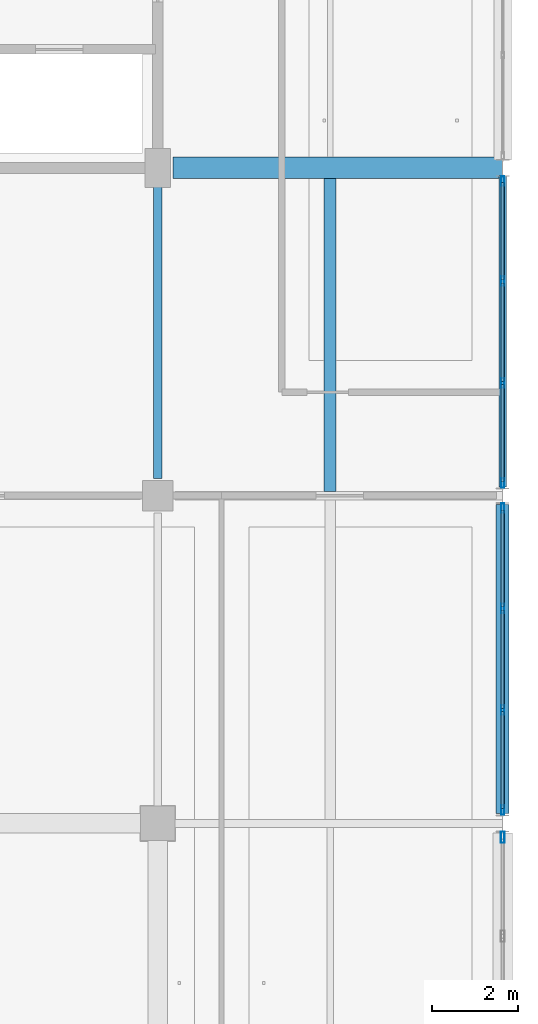
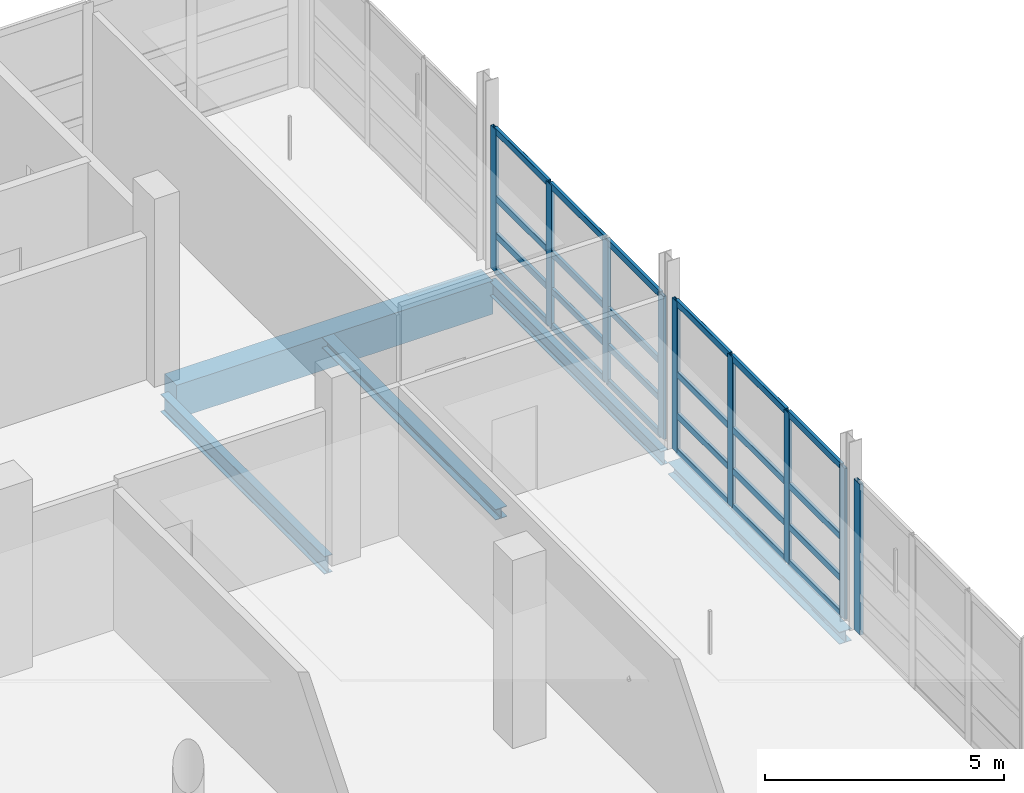
# One storey, part 48 of 147: 33 members, 5 beams, 3 elements without a shape of their own.
"""IFC4 building model written with IfcOpenShell, lengths in metres."""

import ifcopenshell
import ifcopenshell.guid

model = None  # the IFC model being written
_history = None  # IfcOwnerHistory: only IFC2X3 demands one
_inside = {}  # id of a spatial element -> (the spatial element, [elements in it])
_under = {}  # id of a project, library or spatial element -> (it, [spatial elements below it])
_declared = {}  # id of a project -> (the project, [libraries it declares])
_typed = {}  # id of a type object -> (the type object, [elements of that type])
_made_of = {}  # id of a material, layer set ... -> (it, [elements and type objects made of it])


def new_model(schema):
    """Start an empty IFC model of exactly this schema.

    Asked for "IFC4X3", IfcOpenShell would pick the latest addendum, in which some entities
    have other attributes; the version numbers below select the first issue.
    IFC2X3 requires an IfcOwnerHistory on every rooted entity: one is made here for all.
    """
    global model, _history
    if schema == "IFC4X3":
        model = ifcopenshell.file(schema_version=(4, 3, 0, 0))
    else:
        model = ifcopenshell.file(schema=schema)
    _inside.clear()
    _under.clear()
    _declared.clear()
    _typed.clear()
    _made_of.clear()
    _history = None
    if model.schema == "IFC2X3":
        org = make("IfcOrganization", Name="unknown")
        user = make(
            "IfcPersonAndOrganization",
            ThePerson=make("IfcPerson", FamilyName="unknown"),
            TheOrganization=org,
        )
        app = make(
            "IfcApplication",
            ApplicationDeveloper=org,
            Version="unknown",
            ApplicationFullName="unknown",
            ApplicationIdentifier="unknown",
        )
        _history = make(
            "IfcOwnerHistory",
            OwningUser=user,
            OwningApplication=app,
            ChangeAction="ADDED",
            CreationDate=0,
        )
    return model


def make(cls, **values):
    """One entity of the class cls with the attributes given. An attribute that is None is left unset."""
    return model.create_entity(
        cls, **{name: value for name, value in values.items() if value is not None}
    )


def rooted(cls, **values):
    """An entity with a GlobalId (a new one), such as an element, a storey or a relation."""
    return make(cls, GlobalId=ifcopenshell.guid.new(), OwnerHistory=_history, **values)


def si_unit(unit_type, name, prefix=None):
    """IfcSIUnit, for example si_unit("LENGTHUNIT", "METRE", prefix="MILLI")."""
    return make("IfcSIUnit", UnitType=unit_type, Prefix=prefix, Name=name)


def assignment(units):
    """IfcUnitAssignment: the units of a project."""
    return None if units is None else make("IfcUnitAssignment", Units=units)


def point(xyz):
    """IfcCartesianPoint."""
    return None if xyz is None else make("IfcCartesianPoint", Coordinates=xyz)


def direction(xyz):
    """IfcDirection."""
    return None if xyz is None else make("IfcDirection", DirectionRatios=xyz)


def frame(location, z_axis=None, x_axis=None):
    """IfcAxis2Placement3D, a coordinate frame: its origin and axes. An axis left out is left unset."""
    return make(
        "IfcAxis2Placement3D",
        Location=point(location),
        Axis=direction(z_axis),
        RefDirection=direction(x_axis),
    )


def frame_2d(location, x_axis=None):
    """IfcAxis2Placement2D, a coordinate frame in the plane: its origin and x axis."""
    return make(
        "IfcAxis2Placement2D", Location=point(location), RefDirection=direction(x_axis)
    )


def origin():
    """The frame at (0, 0, 0) with its axes left unset."""
    return frame((0.0, 0.0, 0.0))


def origin_2d():
    """The frame at (0, 0) in the plane with its x axis left unset."""
    return frame_2d((0.0, 0.0))


def place(relative_to, where):
    """IfcLocalPlacement: puts the frame where relative to a parent placement (None: the world)."""
    return make(
        "IfcLocalPlacement", PlacementRelTo=relative_to, RelativePlacement=where
    )


def context(
    kind, dimensions, precision=None, world=None, true_north=None, identifier=None
):
    """IfcGeometricRepresentationContext, for example the 3D "Model" context."""
    return make(
        "IfcGeometricRepresentationContext",
        ContextIdentifier=identifier,
        ContextType=kind,
        CoordinateSpaceDimension=dimensions,
        Precision=precision,
        WorldCoordinateSystem=world,
        TrueNorth=true_north,
    )


def subcontext(parent, identifier, kind, view, scale=None):
    """IfcGeometricRepresentationSubContext, for example "Body" below "Model"."""
    return make(
        "IfcGeometricRepresentationSubContext",
        ContextIdentifier=identifier,
        ContextType=kind,
        ParentContext=parent,
        TargetScale=scale,
        TargetView=view,
    )


def project(units=None, contexts=None):
    """IfcProject with its units and contexts."""
    return rooted(
        "IfcProject",
        Name="project",
        RepresentationContexts=contexts,
        UnitsInContext=assignment(units),
    )


def spatial(cls, under=None, at=None, **own):
    """A site, building, storey or space (cls), placed at a placement, below another one or the project."""
    s = rooted(cls, ObjectPlacement=at, **own)
    if under is not None:
        _under.setdefault(under.id(), (under, []))[1].append(s)
    return s


def profile(cls, at=None, kind="AREA", **sizes):
    """A parametric profile (cls). Its sizes go by their IFC names, for example OverallWidth=200.0."""
    return make(cls, ProfileType=kind, Position=at, **sizes)


def rectangle(**sizes):
    """IfcRectangleProfileDef."""
    return profile("IfcRectangleProfileDef", **sizes)


def hollow_rectangle(**sizes):
    """IfcRectangleHollowProfileDef."""
    return profile("IfcRectangleHollowProfileDef", **sizes)


def i_section(**sizes):
    """IfcIShapeProfileDef."""
    return profile("IfcIShapeProfileDef", **sizes)


def extrude(swept, where, along, depth):
    """IfcExtrudedAreaSolid: the profile swept, set in the frame where, extruded along a direction by depth."""
    return make(
        "IfcExtrudedAreaSolid",
        SweptArea=swept,
        Position=where,
        ExtrudedDirection=direction(along),
        Depth=depth,
    )


def shape(context_of_items, identifier, shape_type, items):
    """IfcShapeRepresentation: the items that make up one representation, for example the "Body"."""
    return make(
        "IfcShapeRepresentation",
        ContextOfItems=context_of_items,
        RepresentationIdentifier=identifier,
        RepresentationType=shape_type,
        Items=items,
    )


def material(Name=None, Category=None):
    """IfcMaterial."""
    return make("IfcMaterial", Name=Name, Category=Category)


def material_profile(
    of_material, cross_section, Name=None, Category=None, Priority=None
):
    """IfcMaterialProfile: a cross section and its material."""
    return make(
        "IfcMaterialProfile",
        Name=Name,
        Material=of_material,
        Profile=cross_section,
        Priority=Priority,
        Category=Category,
    )


def profile_set(profiles, Name=None, composite=None):
    """IfcMaterialProfileSet."""
    return make(
        "IfcMaterialProfileSet",
        Name=Name,
        MaterialProfiles=profiles,
        CompositeProfile=composite,
    )


def made_of(thing, what):
    """Note that an element or type object is made of a material, layer set ...; save() writes the relation."""
    if what is not None:
        _made_of.setdefault(what.id(), (what, []))[1].append(thing)
    return thing


def type_object(cls, material=None, **own):
    """A type object (cls), such as IfcWallType, which elements share."""
    return made_of(rooted(cls, **own), material)


def element(
    cls,
    number,
    at=None,
    inside=None,
    cuts=None,
    type_object=None,
    material=None,
    context=None,
    identifier="Body",
    shape_type=None,
    held_by="IfcProductDefinitionShape",
    body=None,
    shapes=None,
    **own,
):
    """One element of the class cls, such as IfcWall. Its Tag is "e" and its number.

    at: its placement. inside: the storey or other place that contains it. cuts: it is an
    opening in that element (IfcRelVoidsElement). A single representation is given by context,
    identifier, shape_type and body (its items); several are given by shapes. held_by: the class
    of the entity that holds the representations. save() writes the other relations.
    """
    e = rooted(cls, Tag="e%d" % number, ObjectPlacement=at, **own)
    if body is not None:
        shapes = [shape(context, identifier, shape_type, body)]
    if shapes is not None:
        e.Representation = make(held_by, Representations=shapes)
    if inside is not None:
        _inside.setdefault(inside.id(), (inside, []))[1].append(e)
    if cuts is not None:
        rooted(
            "IfcRelVoidsElement", RelatingBuildingElement=cuts, RelatedOpeningElement=e
        )
    if type_object is not None:
        _typed.setdefault(type_object.id(), (type_object, []))[1].append(e)
    return made_of(e, material)


def aggregate(whole, parts):
    """IfcRelAggregates: a whole, such as a stair, and the parts it consists of."""
    return rooted("IfcRelAggregates", RelatingObject=whole, RelatedObjects=parts)


def save(model, path):
    """Write the relations noted so far, then the file.

    IfcRelAggregates (storeys below a building ...), IfcRelContainedInSpatialStructure (elements
    in a storey), IfcRelDefinesByType, IfcRelAssociatesMaterial and IfcRelDeclares: one each for
    every whole, place, type object, material and project.
    """
    for whole, parts in _under.values():
        aggregate(whole, parts)
    for where, things in _inside.values():
        rooted(
            "IfcRelContainedInSpatialStructure",
            RelatedElements=things,
            RelatingStructure=where,
        )
    for kind, things in _typed.values():
        rooted("IfcRelDefinesByType", RelatedObjects=things, RelatingType=kind)
    for what, things in _made_of.values():
        rooted("IfcRelAssociatesMaterial", RelatedObjects=things, RelatingMaterial=what)
    for by, libraries in _declared.values():
        rooted("IfcRelDeclares", RelatingContext=by, RelatedDefinitions=libraries)
    model.write(path)


model = new_model("IFC4")

# Units and contexts
model_context = context("Model", 3, precision=1e-05, world=origin(), true_north=direction((0.0, 1.0)))
body_context = subcontext(model_context, "Body", "Model", "MODEL_VIEW")
ifc_project = project(units=[si_unit("LENGTHUNIT", "METRE"), si_unit("AREAUNIT", "SQUARE_METRE"), si_unit("VOLUMEUNIT", "CUBIC_METRE"), si_unit("PLANEANGLEUNIT", "RADIAN"), si_unit("MASSUNIT", "GRAM", prefix="KILO")], contexts=[model_context])

# Site, building, storey
site_placement = place(None, origin())
site = spatial("IfcSite", under=ifc_project, at=site_placement, CompositionType="ELEMENT")
building_placement = place(site_placement, origin())
building = spatial("IfcBuilding", under=site, at=building_placement, Name="Khelvaren Railside Concert Hall", CompositionType="ELEMENT")
storey_placement = place(building_placement, frame((0.0, 0.0, 5.39990234375)))
storey = spatial("IfcBuildingStorey", under=building, at=storey_placement, Name="L01", CompositionType="ELEMENT", Elevation=5.39990234375)

# Beam
ifc_material_1 = material(Name="Steel S355", Category="steel")
ifc_material_profile_1 = material_profile(ifc_material_1, i_section(OverallWidth=0.18994140625, OverallDepth=0.449951171875, WebThickness=0.009521484375, FlangeThickness=0.0146484375, FilletRadius=0.02099609375, at=origin_2d()), Name="IPE 450")
ifc_profile_set_1 = profile_set([ifc_material_profile_1], Name="Steel S355")
beam_type_1 = type_object("IfcBeamType", Name="BM95", PredefinedType="BEAM", material=ifc_profile_set_1)
beam_1_placement = place(storey_placement, frame((176.0, 23.199951171875, -0.52490234375), z_axis=(0.0, 1.0, 0.0), x_axis=(-1.0, 0.0, 0.0)))
element("IfcBeam", 1, at=beam_1_placement, inside=storey, type_object=beam_type_1, Name="V2 L01 Beam Y5.4", PredefinedType="BEAM", context=body_context, shape_type="SweptSolid", body=[
    extrude(i_section(OverallWidth=0.18994140625, OverallDepth=0.449951171875, WebThickness=0.009521484375, FlangeThickness=0.0146484375, FilletRadius=0.02099609375, at=origin_2d()), origin(), (0.0, 0.0, 1.0), 6.85009765625),
])

# Curtain wall, members
ifc_material_2 = material(Name="Triple-glazed solar-control glass", Category="glass")
curtain_wall_type_1 = type_object("IfcCurtainWallType", Name="CW41", PredefinedType="USERDEFINED", material=ifc_material_2)
curtain_wall_1_placement = place(storey_placement, origin())
curtain_wall_1 = element("IfcCurtainWall", 2, at=curtain_wall_1_placement, inside=storey, type_object=curtain_wall_type_1, Name="Unitised Curtain Wall CW-V2-L01-E-15", ObjectType="UNITISED CURTAIN WALL", PredefinedType="USERDEFINED")
ifc_material_3 = material(Name="Anodised architectural aluminium 6063-T6", Category="aluminium")
ifc_material_profile_2 = material_profile(ifc_material_3, hollow_rectangle(XDim=0.074951171875, YDim=0.219970703125, WallThickness=0.0048828125, InnerFilletRadius=0.0029296875, OuterFilletRadius=0.0048828125, at=origin_2d()), Name="CWM 75x220x5")
ifc_profile_set_2 = profile_set([ifc_material_profile_2], Name="Anodised architectural aluminium 6063-T6")
member_type_1 = type_object("IfcMemberType", Name="CWM13", PredefinedType="MULLION", material=ifc_profile_set_2)
member_1_placement = place(storey_placement, frame((184.0, 22.510009765625, 0.0), z_axis=(0.0, 0.0, 1.0), x_axis=(1.0, 0.0, 0.0)))
member_1 = element("IfcMember", 3, at=member_1_placement, type_object=member_type_1, Name="CW41 mullion 1", PredefinedType="MULLION", context=body_context, shape_type="SweptSolid", body=[
    extrude(hollow_rectangle(XDim=0.074951171875, YDim=0.219970703125, WallThickness=0.0048828125, InnerFilletRadius=0.0029296875, OuterFilletRadius=0.0048828125, at=origin_2d()), origin(), (0.0, 0.0, 1.0), 3.85009765625),
])
member_2_placement = place(storey_placement, frame((184.0, 20.189208984375, 0.0), z_axis=(0.0, 0.0, 1.0), x_axis=(1.0, 0.0, 0.0)))
member_2 = element("IfcMember", 4, at=member_2_placement, type_object=member_type_1, Name="CW41 mullion 2", PredefinedType="MULLION", context=body_context, shape_type="SweptSolid", body=[
    extrude(hollow_rectangle(XDim=0.074951171875, YDim=0.219970703125, WallThickness=0.0048828125, InnerFilletRadius=0.0029296875, OuterFilletRadius=0.0048828125, at=origin_2d()), origin(), (0.0, 0.0, 1.0), 3.85009765625),
])
member_3_placement = place(storey_placement, frame((184.0, 17.830810546875, 0.0), z_axis=(0.0, 0.0, 1.0), x_axis=(1.0, 0.0, 0.0)))
member_3 = element("IfcMember", 5, at=member_3_placement, type_object=member_type_1, Name="CW41 mullion 3", PredefinedType="MULLION", context=body_context, shape_type="SweptSolid", body=[
    extrude(hollow_rectangle(XDim=0.074951171875, YDim=0.219970703125, WallThickness=0.0048828125, InnerFilletRadius=0.0029296875, OuterFilletRadius=0.0048828125, at=origin_2d()), origin(), (0.0, 0.0, 1.0), 3.85009765625),
])
member_4_placement = place(storey_placement, frame((184.0, 15.510009765625, 0.0), z_axis=(0.0, 0.0, 1.0), x_axis=(1.0, 0.0, 0.0)))
member_4 = element("IfcMember", 6, at=member_4_placement, type_object=member_type_1, Name="CW41 mullion 4", PredefinedType="MULLION", context=body_context, shape_type="SweptSolid", body=[
    extrude(hollow_rectangle(XDim=0.074951171875, YDim=0.219970703125, WallThickness=0.0048828125, InnerFilletRadius=0.0029296875, OuterFilletRadius=0.0048828125, at=origin_2d()), origin(), (0.0, 0.0, 1.0), 3.85009765625),
])

curtain_wall_type_2 = type_object("IfcCurtainWallType", Name="CW88", PredefinedType="USERDEFINED", material=ifc_material_2)
curtain_wall_2_placement = place(storey_placement, origin())
curtain_wall_2 = element("IfcCurtainWall", 7, at=curtain_wall_2_placement, inside=storey, type_object=curtain_wall_type_2, Name="Unitised Curtain Wall CW-V2-L01-E-23", ObjectType="UNITISED CURTAIN WALL", PredefinedType="USERDEFINED")
member_5_placement = place(storey_placement, frame((184.0, 30.094970703125, 0.0), z_axis=(0.0, 0.0, 1.0), x_axis=(1.0, 0.0, 0.0)))
member_5 = element("IfcMember", 8, at=member_5_placement, type_object=member_type_1, Name="CW88 mullion 1", PredefinedType="MULLION", context=body_context, shape_type="SweptSolid", body=[
    extrude(hollow_rectangle(XDim=0.074951171875, YDim=0.219970703125, WallThickness=0.0048828125, InnerFilletRadius=0.0029296875, OuterFilletRadius=0.0048828125, at=origin_2d()), origin(), (0.0, 0.0, 1.0), 3.650146484375),
])
member_6_placement = place(storey_placement, frame((184.0, 27.7724609375, 0.0), z_axis=(0.0, 0.0, 1.0), x_axis=(1.0, 0.0, 0.0)))
member_6 = element("IfcMember", 9, at=member_6_placement, type_object=member_type_1, Name="CW88 mullion 2", PredefinedType="MULLION", context=body_context, shape_type="SweptSolid", body=[
    extrude(hollow_rectangle(XDim=0.074951171875, YDim=0.219970703125, WallThickness=0.0048828125, InnerFilletRadius=0.0029296875, OuterFilletRadius=0.0048828125, at=origin_2d()), origin(), (0.0, 0.0, 1.0), 3.650146484375),
])
member_7_placement = place(storey_placement, frame((184.0, 25.41259765625, 0.0), z_axis=(0.0, 0.0, 1.0), x_axis=(1.0, 0.0, 0.0)))
member_7 = element("IfcMember", 10, at=member_7_placement, type_object=member_type_1, Name="CW88 mullion 3", PredefinedType="MULLION", context=body_context, shape_type="SweptSolid", body=[
    extrude(hollow_rectangle(XDim=0.074951171875, YDim=0.219970703125, WallThickness=0.0048828125, InnerFilletRadius=0.0029296875, OuterFilletRadius=0.0048828125, at=origin_2d()), origin(), (0.0, 0.0, 1.0), 3.650146484375),
])
member_8_placement = place(storey_placement, frame((184.0, 23.090087890625, 0.0), z_axis=(0.0, 0.0, 1.0), x_axis=(1.0, 0.0, 0.0)))
member_8 = element("IfcMember", 11, at=member_8_placement, type_object=member_type_1, Name="CW88 mullion 4", PredefinedType="MULLION", context=body_context, shape_type="SweptSolid", body=[
    extrude(hollow_rectangle(XDim=0.074951171875, YDim=0.219970703125, WallThickness=0.0048828125, InnerFilletRadius=0.0029296875, OuterFilletRadius=0.0048828125, at=origin_2d()), origin(), (0.0, 0.0, 1.0), 3.650146484375),
])

# Curtain wall, member
ifc_material_4 = material(Name="Acoustic laminated crystal facade glass", Category="glass")
curtain_wall_type_3 = type_object("IfcCurtainWallType", Name="CW54", PredefinedType="USERDEFINED", material=ifc_material_4)
curtain_wall_3_placement = place(storey_placement, origin())
curtain_wall_3 = element("IfcCurtainWall", 12, at=curtain_wall_3_placement, inside=storey, type_object=curtain_wall_type_3, Name="Unitised Curtain Wall CW-V2-L01-E-8", ObjectType="UNITISED CURTAIN WALL", PredefinedType="USERDEFINED")
ifc_material_profile_3 = material_profile(ifc_material_3, hollow_rectangle(XDim=0.0849609375, YDim=0.260009765625, WallThickness=0.0048828125, InnerFilletRadius=0.0029296875, OuterFilletRadius=0.0048828125, at=origin_2d()), Name="CWM 85x260x5")
ifc_profile_set_3 = profile_set([ifc_material_profile_3], Name="Anodised architectural aluminium 6063-T6")
member_type_2 = type_object("IfcMemberType", Name="CWM40", PredefinedType="MULLION", material=ifc_profile_set_3)
member_9_placement = place(storey_placement, frame((184.0, 14.8798828125, 0.0), z_axis=(0.0, 0.0, 1.0), x_axis=(1.0, 0.0, 0.0)))
member_9 = element("IfcMember", 13, at=member_9_placement, type_object=member_type_2, Name="CW54 mullion 1", PredefinedType="MULLION", context=body_context, shape_type="SweptSolid", body=[
    extrude(hollow_rectangle(XDim=0.0849609375, YDim=0.260009765625, WallThickness=0.0048828125, InnerFilletRadius=0.0029296875, OuterFilletRadius=0.0048828125, at=origin_2d()), origin(), (0.0, 0.0, 1.0), 3.85009765625),
])
aggregate(curtain_wall_3, [member_9])

# Member
ifc_material_profile_4 = material_profile(ifc_material_3, hollow_rectangle(XDim=0.074951171875, YDim=0.1650390625, WallThickness=0.00390625, InnerFilletRadius=0.001953125, OuterFilletRadius=0.00390625, at=origin_2d()), Name="CWT 75x165x4")
ifc_profile_set_4 = profile_set([ifc_material_profile_4], Name="Anodised architectural aluminium 6063-T6")
member_type_3 = type_object("IfcMemberType", Name="CWT46", PredefinedType="USERDEFINED", material=ifc_profile_set_4)
member_10_placement = place(storey_placement, frame((184.0, 22.472412109375, 0.03759765625), z_axis=(0.0, -1.0, 0.0), x_axis=(1.0, 0.0, 0.0)))
member_10 = element("IfcMember", 14, at=member_10_placement, type_object=member_type_3, Name="CW41 transom 1.1", ObjectType="TRANSOM", PredefinedType="USERDEFINED", context=body_context, shape_type="SweptSolid", body=[
    extrude(hollow_rectangle(XDim=0.074951171875, YDim=0.1650390625, WallThickness=0.00390625, InnerFilletRadius=0.001953125, OuterFilletRadius=0.00390625, at=origin_2d()), origin(), (0.0, 0.0, 1.0), 2.245849609375),
])

member_11_placement = place(storey_placement, frame((184.0, 22.472412109375, 0.9501953125), z_axis=(0.0, -1.0, 0.0), x_axis=(1.0, 0.0, 0.0)))
member_11 = element("IfcMember", 15, at=member_11_placement, type_object=member_type_3, Name="CW41 transom 1.2", ObjectType="TRANSOM", PredefinedType="USERDEFINED", context=body_context, shape_type="SweptSolid", body=[
    extrude(hollow_rectangle(XDim=0.074951171875, YDim=0.1650390625, WallThickness=0.00390625, InnerFilletRadius=0.001953125, OuterFilletRadius=0.00390625, at=origin_2d()), origin(), (0.0, 0.0, 1.0), 2.245849609375),
])

member_12_placement = place(storey_placement, frame((184.0, 22.472412109375, 2.002197265625), z_axis=(0.0, -1.0, 0.0), x_axis=(1.0, 0.0, 0.0)))
member_12 = element("IfcMember", 16, at=member_12_placement, type_object=member_type_3, Name="CW41 transom 1.3", ObjectType="TRANSOM", PredefinedType="USERDEFINED", context=body_context, shape_type="SweptSolid", body=[
    extrude(hollow_rectangle(XDim=0.074951171875, YDim=0.1650390625, WallThickness=0.00390625, InnerFilletRadius=0.001953125, OuterFilletRadius=0.00390625, at=origin_2d()), origin(), (0.0, 0.0, 1.0), 2.245849609375),
])

member_13_placement = place(storey_placement, frame((184.0, 22.472412109375, 3.8125), z_axis=(0.0, -1.0, 0.0), x_axis=(1.0, 0.0, 0.0)))
member_13 = element("IfcMember", 17, at=member_13_placement, type_object=member_type_3, Name="CW41 transom 1.4", ObjectType="TRANSOM", PredefinedType="USERDEFINED", context=body_context, shape_type="SweptSolid", body=[
    extrude(hollow_rectangle(XDim=0.074951171875, YDim=0.1650390625, WallThickness=0.00390625, InnerFilletRadius=0.001953125, OuterFilletRadius=0.00390625, at=origin_2d()), origin(), (0.0, 0.0, 1.0), 2.245849609375),
])

member_14_placement = place(storey_placement, frame((184.0, 20.151611328125, 0.03759765625), z_axis=(0.0, -1.0, 0.0), x_axis=(1.0, 0.0, 0.0)))
member_14 = element("IfcMember", 18, at=member_14_placement, type_object=member_type_3, Name="CW41 transom 2.1", ObjectType="TRANSOM", PredefinedType="USERDEFINED", context=body_context, shape_type="SweptSolid", body=[
    extrude(hollow_rectangle(XDim=0.074951171875, YDim=0.1650390625, WallThickness=0.00390625, InnerFilletRadius=0.001953125, OuterFilletRadius=0.00390625, at=origin_2d()), origin(), (0.0, 0.0, 1.0), 2.283203125),
])

member_15_placement = place(storey_placement, frame((184.0, 20.151611328125, 0.9501953125), z_axis=(0.0, -1.0, 0.0), x_axis=(1.0, 0.0, 0.0)))
member_15 = element("IfcMember", 19, at=member_15_placement, type_object=member_type_3, Name="CW41 transom 2.2", ObjectType="TRANSOM", PredefinedType="USERDEFINED", context=body_context, shape_type="SweptSolid", body=[
    extrude(hollow_rectangle(XDim=0.074951171875, YDim=0.1650390625, WallThickness=0.00390625, InnerFilletRadius=0.001953125, OuterFilletRadius=0.00390625, at=origin_2d()), origin(), (0.0, 0.0, 1.0), 2.283203125),
])

member_16_placement = place(storey_placement, frame((184.0, 20.151611328125, 2.002197265625), z_axis=(0.0, -1.0, 0.0), x_axis=(1.0, 0.0, 0.0)))
member_16 = element("IfcMember", 20, at=member_16_placement, type_object=member_type_3, Name="CW41 transom 2.3", ObjectType="TRANSOM", PredefinedType="USERDEFINED", context=body_context, shape_type="SweptSolid", body=[
    extrude(hollow_rectangle(XDim=0.074951171875, YDim=0.1650390625, WallThickness=0.00390625, InnerFilletRadius=0.001953125, OuterFilletRadius=0.00390625, at=origin_2d()), origin(), (0.0, 0.0, 1.0), 2.283203125),
])

member_17_placement = place(storey_placement, frame((184.0, 20.151611328125, 3.8125), z_axis=(0.0, -1.0, 0.0), x_axis=(1.0, 0.0, 0.0)))
member_17 = element("IfcMember", 21, at=member_17_placement, type_object=member_type_3, Name="CW41 transom 2.4", ObjectType="TRANSOM", PredefinedType="USERDEFINED", context=body_context, shape_type="SweptSolid", body=[
    extrude(hollow_rectangle(XDim=0.074951171875, YDim=0.1650390625, WallThickness=0.00390625, InnerFilletRadius=0.001953125, OuterFilletRadius=0.00390625, at=origin_2d()), origin(), (0.0, 0.0, 1.0), 2.283203125),
])

member_18_placement = place(storey_placement, frame((184.0, 17.793212890625, 0.03759765625), z_axis=(0.0, -1.0, 0.0), x_axis=(1.0, 0.0, 0.0)))
member_18 = element("IfcMember", 22, at=member_18_placement, type_object=member_type_3, Name="CW41 transom 3.1", ObjectType="TRANSOM", PredefinedType="USERDEFINED", context=body_context, shape_type="SweptSolid", body=[
    extrude(hollow_rectangle(XDim=0.074951171875, YDim=0.1650390625, WallThickness=0.00390625, InnerFilletRadius=0.001953125, OuterFilletRadius=0.00390625, at=origin_2d()), origin(), (0.0, 0.0, 1.0), 2.24560546875),
])

member_19_placement = place(storey_placement, frame((184.0, 17.793212890625, 0.9501953125), z_axis=(0.0, -1.0, 0.0), x_axis=(1.0, 0.0, 0.0)))
member_19 = element("IfcMember", 23, at=member_19_placement, type_object=member_type_3, Name="CW41 transom 3.2", ObjectType="TRANSOM", PredefinedType="USERDEFINED", context=body_context, shape_type="SweptSolid", body=[
    extrude(hollow_rectangle(XDim=0.074951171875, YDim=0.1650390625, WallThickness=0.00390625, InnerFilletRadius=0.001953125, OuterFilletRadius=0.00390625, at=origin_2d()), origin(), (0.0, 0.0, 1.0), 2.24560546875),
])

member_20_placement = place(storey_placement, frame((184.0, 17.793212890625, 2.002197265625), z_axis=(0.0, -1.0, 0.0), x_axis=(1.0, 0.0, 0.0)))
member_20 = element("IfcMember", 24, at=member_20_placement, type_object=member_type_3, Name="CW41 transom 3.3", ObjectType="TRANSOM", PredefinedType="USERDEFINED", context=body_context, shape_type="SweptSolid", body=[
    extrude(hollow_rectangle(XDim=0.074951171875, YDim=0.1650390625, WallThickness=0.00390625, InnerFilletRadius=0.001953125, OuterFilletRadius=0.00390625, at=origin_2d()), origin(), (0.0, 0.0, 1.0), 2.24560546875),
])

member_21_placement = place(storey_placement, frame((184.0, 17.793212890625, 3.8125), z_axis=(0.0, -1.0, 0.0), x_axis=(1.0, 0.0, 0.0)))
member_21 = element("IfcMember", 25, at=member_21_placement, type_object=member_type_3, Name="CW41 transom 3.4", ObjectType="TRANSOM", PredefinedType="USERDEFINED", context=body_context, shape_type="SweptSolid", body=[
    extrude(hollow_rectangle(XDim=0.074951171875, YDim=0.1650390625, WallThickness=0.00390625, InnerFilletRadius=0.001953125, OuterFilletRadius=0.00390625, at=origin_2d()), origin(), (0.0, 0.0, 1.0), 2.24560546875),
])

aggregate(curtain_wall_1, [member_1, member_2, member_3, member_4, member_10, member_11, member_12, member_13, member_14, member_15, member_16, member_17, member_18, member_19, member_20, member_21])

member_22_placement = place(storey_placement, frame((184.0, 30.0576171875, 0.03759765625), z_axis=(0.0, -1.0, 0.0), x_axis=(1.0, 0.0, 0.0)))
member_22 = element("IfcMember", 26, at=member_22_placement, type_object=member_type_3, Name="CW88 transom 1.1", ObjectType="TRANSOM", PredefinedType="USERDEFINED", context=body_context, shape_type="SweptSolid", body=[
    extrude(hollow_rectangle(XDim=0.074951171875, YDim=0.1650390625, WallThickness=0.00390625, InnerFilletRadius=0.001953125, OuterFilletRadius=0.00390625, at=origin_2d()), origin(), (0.0, 0.0, 1.0), 2.24755859375),
])

member_23_placement = place(storey_placement, frame((184.0, 30.0576171875, 0.9501953125), z_axis=(0.0, -1.0, 0.0), x_axis=(1.0, 0.0, 0.0)))
member_23 = element("IfcMember", 27, at=member_23_placement, type_object=member_type_3, Name="CW88 transom 1.2", ObjectType="TRANSOM", PredefinedType="USERDEFINED", context=body_context, shape_type="SweptSolid", body=[
    extrude(hollow_rectangle(XDim=0.074951171875, YDim=0.1650390625, WallThickness=0.00390625, InnerFilletRadius=0.001953125, OuterFilletRadius=0.00390625, at=origin_2d()), origin(), (0.0, 0.0, 1.0), 2.24755859375),
])

member_24_placement = place(storey_placement, frame((184.0, 30.0576171875, 1.898193359375), z_axis=(0.0, -1.0, 0.0), x_axis=(1.0, 0.0, 0.0)))
member_24 = element("IfcMember", 28, at=member_24_placement, type_object=member_type_3, Name="CW88 transom 1.3", ObjectType="TRANSOM", PredefinedType="USERDEFINED", context=body_context, shape_type="SweptSolid", body=[
    extrude(hollow_rectangle(XDim=0.074951171875, YDim=0.1650390625, WallThickness=0.00390625, InnerFilletRadius=0.001953125, OuterFilletRadius=0.00390625, at=origin_2d()), origin(), (0.0, 0.0, 1.0), 2.24755859375),
])

member_25_placement = place(storey_placement, frame((184.0, 30.0576171875, 3.612548828125), z_axis=(0.0, -1.0, 0.0), x_axis=(1.0, 0.0, 0.0)))
member_25 = element("IfcMember", 29, at=member_25_placement, type_object=member_type_3, Name="CW88 transom 1.4", ObjectType="TRANSOM", PredefinedType="USERDEFINED", context=body_context, shape_type="SweptSolid", body=[
    extrude(hollow_rectangle(XDim=0.074951171875, YDim=0.1650390625, WallThickness=0.00390625, InnerFilletRadius=0.001953125, OuterFilletRadius=0.00390625, at=origin_2d()), origin(), (0.0, 0.0, 1.0), 2.24755859375),
])

member_26_placement = place(storey_placement, frame((184.0, 27.735107421875, 0.03759765625), z_axis=(0.0, -1.0, 0.0), x_axis=(1.0, 0.0, 0.0)))
member_26 = element("IfcMember", 30, at=member_26_placement, type_object=member_type_3, Name="CW88 transom 2.1", ObjectType="TRANSOM", PredefinedType="USERDEFINED", context=body_context, shape_type="SweptSolid", body=[
    extrude(hollow_rectangle(XDim=0.074951171875, YDim=0.1650390625, WallThickness=0.00390625, InnerFilletRadius=0.001953125, OuterFilletRadius=0.00390625, at=origin_2d()), origin(), (0.0, 0.0, 1.0), 2.28515625),
])

member_27_placement = place(storey_placement, frame((184.0, 27.735107421875, 0.9501953125), z_axis=(0.0, -1.0, 0.0), x_axis=(1.0, 0.0, 0.0)))
member_27 = element("IfcMember", 31, at=member_27_placement, type_object=member_type_3, Name="CW88 transom 2.2", ObjectType="TRANSOM", PredefinedType="USERDEFINED", context=body_context, shape_type="SweptSolid", body=[
    extrude(hollow_rectangle(XDim=0.074951171875, YDim=0.1650390625, WallThickness=0.00390625, InnerFilletRadius=0.001953125, OuterFilletRadius=0.00390625, at=origin_2d()), origin(), (0.0, 0.0, 1.0), 2.28515625),
])

member_28_placement = place(storey_placement, frame((184.0, 27.735107421875, 1.898193359375), z_axis=(0.0, -1.0, 0.0), x_axis=(1.0, 0.0, 0.0)))
member_28 = element("IfcMember", 32, at=member_28_placement, type_object=member_type_3, Name="CW88 transom 2.3", ObjectType="TRANSOM", PredefinedType="USERDEFINED", context=body_context, shape_type="SweptSolid", body=[
    extrude(hollow_rectangle(XDim=0.074951171875, YDim=0.1650390625, WallThickness=0.00390625, InnerFilletRadius=0.001953125, OuterFilletRadius=0.00390625, at=origin_2d()), origin(), (0.0, 0.0, 1.0), 2.28515625),
])

member_29_placement = place(storey_placement, frame((184.0, 27.735107421875, 3.612548828125), z_axis=(0.0, -1.0, 0.0), x_axis=(1.0, 0.0, 0.0)))
member_29 = element("IfcMember", 33, at=member_29_placement, type_object=member_type_3, Name="CW88 transom 2.4", ObjectType="TRANSOM", PredefinedType="USERDEFINED", context=body_context, shape_type="SweptSolid", body=[
    extrude(hollow_rectangle(XDim=0.074951171875, YDim=0.1650390625, WallThickness=0.00390625, InnerFilletRadius=0.001953125, OuterFilletRadius=0.00390625, at=origin_2d()), origin(), (0.0, 0.0, 1.0), 2.28515625),
])

member_30_placement = place(storey_placement, frame((184.0, 25.375, 0.03759765625), z_axis=(0.0, -1.0, 0.0), x_axis=(1.0, 0.0, 0.0)))
member_30 = element("IfcMember", 34, at=member_30_placement, type_object=member_type_3, Name="CW88 transom 3.1", ObjectType="TRANSOM", PredefinedType="USERDEFINED", context=body_context, shape_type="SweptSolid", body=[
    extrude(hollow_rectangle(XDim=0.074951171875, YDim=0.1650390625, WallThickness=0.00390625, InnerFilletRadius=0.001953125, OuterFilletRadius=0.00390625, at=origin_2d()), origin(), (0.0, 0.0, 1.0), 2.24755859375),
])

member_31_placement = place(storey_placement, frame((184.0, 25.375, 0.9501953125), z_axis=(0.0, -1.0, 0.0), x_axis=(1.0, 0.0, 0.0)))
member_31 = element("IfcMember", 35, at=member_31_placement, type_object=member_type_3, Name="CW88 transom 3.2", ObjectType="TRANSOM", PredefinedType="USERDEFINED", context=body_context, shape_type="SweptSolid", body=[
    extrude(hollow_rectangle(XDim=0.074951171875, YDim=0.1650390625, WallThickness=0.00390625, InnerFilletRadius=0.001953125, OuterFilletRadius=0.00390625, at=origin_2d()), origin(), (0.0, 0.0, 1.0), 2.24755859375),
])

member_32_placement = place(storey_placement, frame((184.0, 25.375, 1.898193359375), z_axis=(0.0, -1.0, 0.0), x_axis=(1.0, 0.0, 0.0)))
member_32 = element("IfcMember", 36, at=member_32_placement, type_object=member_type_3, Name="CW88 transom 3.3", ObjectType="TRANSOM", PredefinedType="USERDEFINED", context=body_context, shape_type="SweptSolid", body=[
    extrude(hollow_rectangle(XDim=0.074951171875, YDim=0.1650390625, WallThickness=0.00390625, InnerFilletRadius=0.001953125, OuterFilletRadius=0.00390625, at=origin_2d()), origin(), (0.0, 0.0, 1.0), 2.24755859375),
])

member_33_placement = place(storey_placement, frame((184.0, 25.375, 3.612548828125), z_axis=(0.0, -1.0, 0.0), x_axis=(1.0, 0.0, 0.0)))
member_33 = element("IfcMember", 37, at=member_33_placement, type_object=member_type_3, Name="CW88 transom 3.4", ObjectType="TRANSOM", PredefinedType="USERDEFINED", context=body_context, shape_type="SweptSolid", body=[
    extrude(hollow_rectangle(XDim=0.074951171875, YDim=0.1650390625, WallThickness=0.00390625, InnerFilletRadius=0.001953125, OuterFilletRadius=0.00390625, at=origin_2d()), origin(), (0.0, 0.0, 1.0), 2.24755859375),
])

aggregate(curtain_wall_2, [member_5, member_6, member_7, member_8, member_22, member_23, member_24, member_25, member_26, member_27, member_28, member_29, member_30, member_31, member_32, member_33])

# Beams
ifc_material_5 = material(Name="Concrete C40/50", Category="concrete")
ifc_material_profile_5 = material_profile(ifc_material_5, rectangle(XDim=0.5, YDim=0.85009765625, at=origin_2d()), Name="RCB 500x850")
ifc_profile_set_5 = profile_set([ifc_material_profile_5], Name="Concrete C40/50")
beam_type_2 = type_object("IfcBeamType", Name="GR96", PredefinedType="T_BEAM", material=ifc_profile_set_5)
beam_2_placement = place(storey_placement, frame((176.35009765625, 30.39990234375, -0.724853515625), z_axis=(1.0, 0.0, 0.0), x_axis=(0.0, 1.0, 0.0)))
element("IfcBeam", 38, at=beam_2_placement, inside=storey, type_object=beam_type_2, Name="V2 L01 T_Beam X5.5", PredefinedType="T_BEAM", context=body_context, shape_type="SweptSolid", body=[
    extrude(rectangle(XDim=0.5, YDim=0.85009765625, at=origin_2d()), origin(), (0.0, 0.0, 1.0), 7.639892578125),
])
ifc_material_profile_6 = material_profile(ifc_material_1, i_section(OverallWidth=0.280029296875, OverallDepth=0.27001953125, WebThickness=0.008056640625, FlangeThickness=0.012939453125, FilletRadius=0.02392578125, at=origin_2d()), Name="HEA 280")
ifc_profile_set_6 = profile_set([ifc_material_profile_6], Name="Steel S355")
beam_type_3 = type_object("IfcBeamType", Name="JS46", PredefinedType="JOIST", material=ifc_profile_set_6)
beam_3_placement = place(storey_placement, frame((180.0, 22.89501953125, -0.434814453125), z_axis=(0.0, 1.0, 0.0), x_axis=(-1.0, 0.0, 0.0)))
element("IfcBeam", 39, at=beam_3_placement, inside=storey, type_object=beam_type_3, Name="V2 L01 Secondary Joist 5.4", PredefinedType="JOIST", context=body_context, shape_type="SweptSolid", body=[
    extrude(i_section(OverallWidth=0.280029296875, OverallDepth=0.27001953125, WebThickness=0.008056640625, FlangeThickness=0.012939453125, FilletRadius=0.02392578125, at=origin_2d()), origin(), (0.0, 0.0, 1.0), 7.2548828125),
])
ifc_material_profile_7 = material_profile(ifc_material_1, i_section(OverallWidth=0.300048828125, OverallDepth=0.31005859375, WebThickness=0.009033203125, FlangeThickness=0.015380859375, FilletRadius=0.027099609375, at=origin_2d()), Name="HEA 320")
ifc_profile_set_7 = profile_set([ifc_material_profile_7], Name="Steel S355")
beam_type_4 = type_object("IfcBeamType", Name="SP66", PredefinedType="SPANDREL", material=ifc_profile_set_7)
beam_4_placement = place(storey_placement, frame((184.0, 15.425048828125, -0.454833984375), z_axis=(0.0, 1.0, 0.0), x_axis=(-1.0, 0.0, 0.0)))
element("IfcBeam", 40, at=beam_4_placement, inside=storey, type_object=beam_type_4, Name="V2 L01 Spandrel Y6.3", PredefinedType="SPANDREL", context=body_context, shape_type="SweptSolid", body=[
    extrude(i_section(OverallWidth=0.300048828125, OverallDepth=0.31005859375, WebThickness=0.009033203125, FlangeThickness=0.015380859375, FilletRadius=0.027099609375, at=origin_2d()), origin(), (0.0, 0.0, 1.0), 7.175048828125),
])
ifc_material_profile_8 = material_profile(ifc_material_1, i_section(OverallWidth=0.169921875, OverallDepth=0.360107421875, WebThickness=0.008056640625, FlangeThickness=0.0126953125, FilletRadius=0.01806640625, at=origin_2d()), Name="IPE 360")
ifc_profile_set_8 = profile_set([ifc_material_profile_8], Name="Steel S355")
beam_type_5 = type_object("IfcBeamType", Name="SP74", PredefinedType="SPANDREL", material=ifc_profile_set_8)
beam_5_placement = place(storey_placement, frame((184.0, 23.0, -0.47998046875), z_axis=(0.0, 1.0, 0.0), x_axis=(-1.0, 0.0, 0.0)))
element("IfcBeam", 41, at=beam_5_placement, inside=storey, type_object=beam_type_5, Name="V2 L01 Spandrel Y6.4", PredefinedType="SPANDREL", context=body_context, shape_type="SweptSolid", body=[
    extrude(i_section(OverallWidth=0.169921875, OverallDepth=0.360107421875, WebThickness=0.008056640625, FlangeThickness=0.0126953125, FilletRadius=0.01806640625, at=origin_2d()), origin(), (0.0, 0.0, 1.0), 7.219970703125),
])

save(model, "model.ifc")
